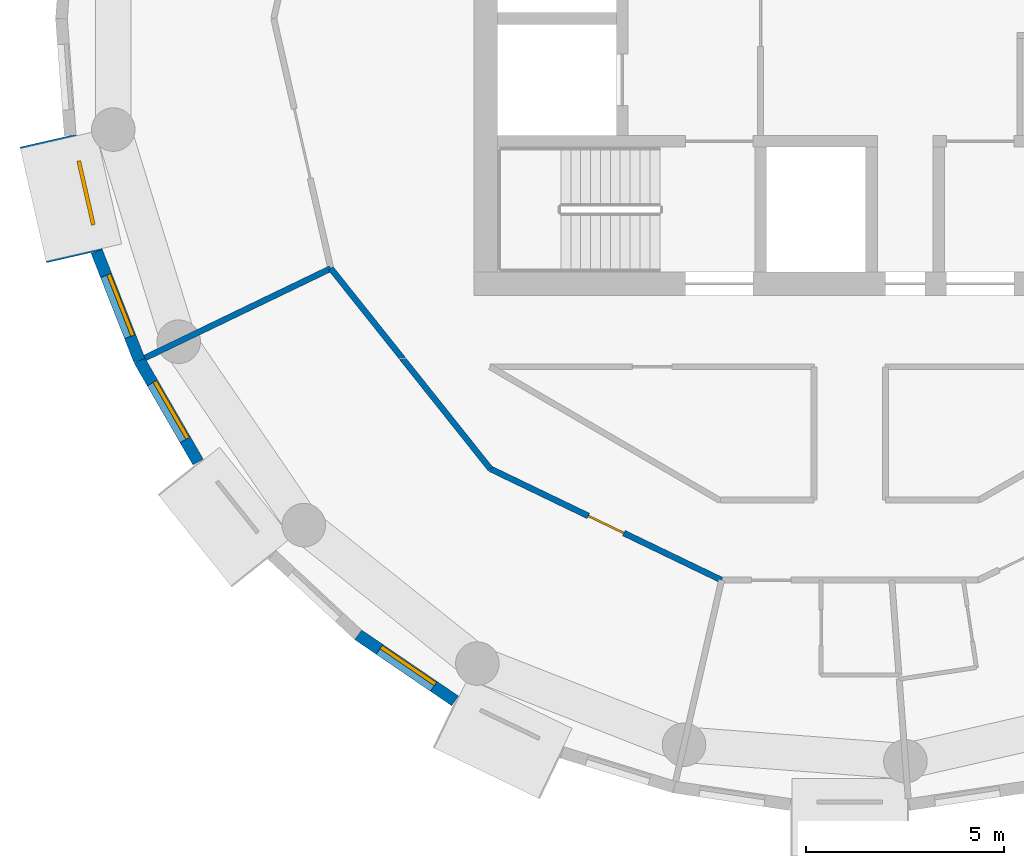
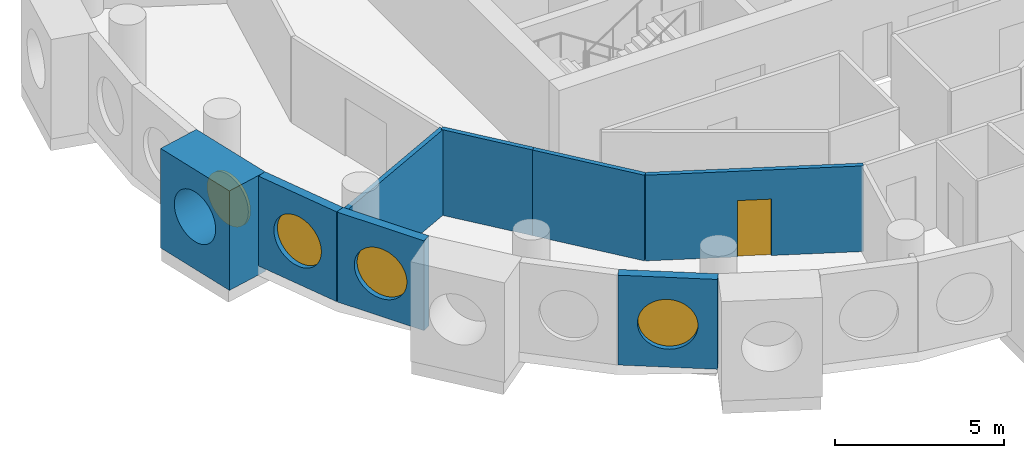
# One storey, part 2 of 13: 8 walls, 4 windows, 1 door, 5 openings.
"""IFC4 building model written with IfcOpenShell, lengths in metres."""

from ifc_helpers import new_model, si_unit, direction, frame, frame_2d, origin, origin_2d, place, context, subcontext, project, spatial, rectangle, circle, extrude, material, layer, layer_set, type_object, element, fill, save


model = new_model("IFC4")

# Units and contexts
model_context = context("Model", 3, precision=1e-05, world=origin(), true_north=direction((0.0, 1.0)))
body_context = subcontext(model_context, "Body", "Model", "MODEL_VIEW")
ifc_project = project(units=[si_unit("LENGTHUNIT", "METRE"), si_unit("AREAUNIT", "SQUARE_METRE"), si_unit("VOLUMEUNIT", "CUBIC_METRE"), si_unit("PLANEANGLEUNIT", "RADIAN"), si_unit("MASSUNIT", "GRAM", prefix="KILO")], contexts=[model_context])

# Site, building, storey
site_placement = place(None, origin())
site = spatial("IfcSite", under=ifc_project, at=site_placement, CompositionType="ELEMENT")
building_placement = place(site_placement, origin())
building = spatial("IfcBuilding", under=site, at=building_placement, Name="Tracery Tower", CompositionType="ELEMENT")
storey_placement = place(building_placement, frame((0.0, 0.0, 270.60009765625)))
storey = spatial("IfcBuildingStorey", under=building, at=storey_placement, Name="L70", CompositionType="ELEMENT", Elevation=270.60009765625)

# Wall, opening, window
ifc_material_1 = material(Name="Precast concrete C50/60", Category="concrete")
ifc_layer_1 = layer(ifc_material_1, 1.449951171875)
ifc_layer_set_1 = layer_set([ifc_layer_1], Name="Deep-set bay unit 3000 x 3600, slab edge 350")
wall_type_1 = type_object("IfcWallType", Name="Deep-set bay unit 3000 x 3600, slab edge 350", PredefinedType="ELEMENTEDWALL", material=ifc_layer_set_1)
wall_1_placement = place(storey_placement, frame((-20.262451171875, -3.086181640625, -0.35009765625), z_axis=(0.0, 0.0, 1.0), x_axis=(0.222570682856, -0.974916555985, 0.0)))
wall_1 = element("IfcWall", 1, at=wall_1_placement, inside=storey, type_object=wall_type_1, Name="Deep-set bay unit 23 at L70", PredefinedType="ELEMENTEDWALL", context=body_context, shape_type="SweptSolid", body=[
    extrude(rectangle(XDim=3.0, YDim=1.449951171875, at=frame_2d((1.5, 0.0))), origin(), (0.0, 0.0, 1.0), 3.60009765625),
])
opening_1_placement = place(wall_1_placement, frame((1.5, 0.0, 1.89990234375)))
opening_1 = element("IfcOpeningElement", 2, at=opening_1_placement, cuts=wall_1, Name="Opening WN1", PredefinedType="OPENING", context=body_context, shape_type="SweptSolid", body=[
    extrude(circle(Radius=0.9000244140625, at=origin_2d()), frame((0.0, 0.73486328125, 0.0), z_axis=(0.0, -1.0, 0.0), x_axis=(1.0, 0.0, 0.0)), (0.0, 0.0, 1.0), 1.469970703125),
])
ifc_material_2 = material(Name="Aluminium frame with tinted double glazing", Category="aluminium")
window_type = type_object("IfcWindowType", Name="Round window 1800", PartitioningType="SINGLE_PANEL", PredefinedType="WINDOW", material=ifc_material_2)
window_1_placement = place(opening_1_placement, origin())
window_1 = element("IfcWindow", 3, at=window_1_placement, inside=storey, type_object=window_type, Name="Round window 23 at L70", OverallHeight=1.800048828125, OverallWidth=1.800048828125, PartitioningType="SINGLE_PANEL", PredefinedType="WINDOW", context=body_context, shape_type="SweptSolid", body=[
    extrude(circle(Radius=0.9000244140625, at=origin_2d()), frame((0.0, 0.69482421875, 0.0), z_axis=(0.0, -1.0, 0.0), x_axis=(1.0, 0.0, 0.0)), (0.0, 0.0, 1.0), 0.10009765625),
])
fill(opening_1, window_1)

ifc_material_3 = material(Name="Precast concrete C50/60", Category="concrete")
ifc_layer_2 = layer(ifc_material_3, 0.300048828125)
ifc_layer_set_2 = layer_set([ifc_layer_2], Name="Facade panel 3000 x 3250")
wall_type_2 = type_object("IfcWallType", Name="Facade panel 3000 x 3250", PredefinedType="SOLIDWALL", material=ifc_layer_set_2)
wall_2_placement = place(storey_placement, frame((-19.03125, -5.88623046875, 0.0), z_axis=(0.0, 0.0, 1.0), x_axis=(0.365343821297, -0.930872650925, 0.0)))
wall_2 = element("IfcWall", 4, at=wall_2_placement, inside=storey, type_object=wall_type_2, Name="Facade panel 24 at L70", PredefinedType="SOLIDWALL", context=body_context, shape_type="SweptSolid", body=[
    extrude(rectangle(XDim=2.96240234375, YDim=0.300048828125, at=frame_2d((1.481201171875, 0.0))), origin(), (0.0, 0.0, 1.0), 3.25),
])
opening_2_placement = place(wall_2_placement, frame((1.48095703125, 0.0, 1.5498046875)))
opening_2 = element("IfcOpeningElement", 5, at=opening_2_placement, cuts=wall_2, Name="Opening WN1", PredefinedType="OPENING", context=body_context, shape_type="SweptSolid", body=[
    extrude(circle(Radius=0.9000244140625, at=origin_2d()), frame((0.0, 0.159912109375, 0.0), z_axis=(0.0, -1.0, 0.0), x_axis=(1.0, 0.0, 0.0)), (0.0, 0.0, 1.0), 0.320068359375),
])
window_2_placement = place(opening_2_placement, origin())
window_2 = element("IfcWindow", 6, at=window_2_placement, inside=storey, type_object=window_type, Name="Round window 24 at L70", OverallHeight=1.800048828125, OverallWidth=1.800048828125, PartitioningType="SINGLE_PANEL", PredefinedType="WINDOW", context=body_context, shape_type="SweptSolid", body=[
    extrude(circle(Radius=0.9000244140625, at=origin_2d()), frame((0.0, 0.1201171875, 0.0), z_axis=(0.0, -1.0, 0.0), x_axis=(1.0, 0.0, 0.0)), (0.0, 0.0, 1.0), 0.10009765625),
])
fill(opening_2, window_2)

wall_3_placement = place(storey_placement, frame((-17.948974609375, -8.643798828125, 0.0), z_axis=(0.0, 0.0, 1.0), x_axis=(0.500012570604, -0.866018146021, 0.0)))
wall_3 = element("IfcWall", 7, at=wall_3_placement, inside=storey, type_object=wall_type_2, Name="Facade panel 25 at L70", PredefinedType="SOLIDWALL", context=body_context, shape_type="SweptSolid", body=[
    extrude(rectangle(XDim=2.96240234375, YDim=0.300048828125, at=frame_2d((1.481201171875, 0.0))), origin(), (0.0, 0.0, 1.0), 3.25),
])
opening_3_placement = place(wall_3_placement, frame((1.48095703125, 0.0, 1.5498046875)))
opening_3 = element("IfcOpeningElement", 8, at=opening_3_placement, cuts=wall_3, Name="Opening WN1", PredefinedType="OPENING", context=body_context, shape_type="SweptSolid", body=[
    extrude(circle(Radius=0.9000244140625, at=origin_2d()), frame((0.0, 0.159912109375, 0.0), z_axis=(0.0, -1.0, 0.0), x_axis=(1.0, 0.0, 0.0)), (0.0, 0.0, 1.0), 0.320068359375),
])
window_3_placement = place(opening_3_placement, origin())
window_3 = element("IfcWindow", 9, at=window_3_placement, inside=storey, type_object=window_type, Name="Round window 25 at L70", OverallHeight=1.800048828125, OverallWidth=1.800048828125, PartitioningType="SINGLE_PANEL", PredefinedType="WINDOW", context=body_context, shape_type="SweptSolid", body=[
    extrude(circle(Radius=0.9000244140625, at=origin_2d()), frame((0.0, 0.1201171875, 0.0), z_axis=(0.0, -1.0, 0.0), x_axis=(1.0, 0.0, 0.0)), (0.0, 0.0, 1.0), 0.10009765625),
])
fill(opening_3, window_3)

wall_4_placement = place(storey_placement, frame((-12.421142578125, -15.575439453125, 0.0), z_axis=(0.0, 0.0, 1.0), x_axis=(0.826236061068, -0.563324037646, 0.0)))
wall_4 = element("IfcWall", 10, at=wall_4_placement, inside=storey, type_object=wall_type_2, Name="Facade panel 28 at L70", PredefinedType="SOLIDWALL", context=body_context, shape_type="SweptSolid", body=[
    extrude(rectangle(XDim=2.962158203125, YDim=0.300048828125, at=frame_2d((1.48095703125, 0.0))), origin(), (0.0, 0.0, 1.0), 3.25),
])
opening_4_placement = place(wall_4_placement, frame((1.48095703125, 0.0, 1.5498046875)))
opening_4 = element("IfcOpeningElement", 11, at=opening_4_placement, cuts=wall_4, Name="Opening WN1", PredefinedType="OPENING", context=body_context, shape_type="SweptSolid", body=[
    extrude(circle(Radius=0.9000244140625, at=origin_2d()), frame((0.0, 0.159912109375, 0.0), z_axis=(0.0, -1.0, 0.0), x_axis=(1.0, 0.0, 0.0)), (0.0, 0.0, 1.0), 0.320068359375),
])
window_4_placement = place(opening_4_placement, origin())
window_4 = element("IfcWindow", 12, at=window_4_placement, inside=storey, type_object=window_type, Name="Round window 28 at L70", OverallHeight=1.800048828125, OverallWidth=1.800048828125, PartitioningType="SINGLE_PANEL", PredefinedType="WINDOW", context=body_context, shape_type="SweptSolid", body=[
    extrude(circle(Radius=0.9000244140625, at=origin_2d()), frame((0.0, 0.1201171875, 0.0), z_axis=(0.0, -1.0, 0.0), x_axis=(1.0, 0.0, 0.0)), (0.0, 0.0, 1.0), 0.10009765625),
])
fill(opening_4, window_4)

# Walls
ifc_material_4 = material(Name="Plasterboard on steel studs", Category="steel")
ifc_layer_3 = layer(ifc_material_4, 0.14990234375)
ifc_layer_set_3 = layer_set([ifc_layer_3], Name="Partition 150 acoustic unit wall")
wall_type_3 = type_object("IfcWallType", Name="Partition 150 acoustic unit wall", PredefinedType="PARTITIONING", material=ifc_layer_set_3)
wall_5_placement = place(storey_placement, frame((-17.81298828125, -8.577880859375, 0.0), z_axis=(0.0, 0.0, 1.0), x_axis=(0.901004381064, 0.433809987557, 0.0)))
element("IfcWall", 13, at=wall_5_placement, inside=storey, type_object=wall_type_3, Name="Unit wall RC5-047", PredefinedType="PARTITIONING", context=body_context, shape_type="SweptSolid", body=[
    extrude(rectangle(XDim=5.214111328125, YDim=0.14990234375, at=frame_2d((2.60693359375, 0.0))), origin(), (0.0, 0.0, 1.0), 3.099853515625),
])
ifc_material_5 = material(Name="Plasterboard on steel studs", Category="steel")
ifc_layer_4 = layer(ifc_material_5, 0.14990234375)
ifc_layer_set_4 = layer_set([ifc_layer_4], Name="Partition 150 corridor wall")
wall_type_4 = type_object("IfcWallType", Name="Partition 150 corridor wall", PredefinedType="PARTITIONING", material=ifc_layer_set_4)
wall_6_placement = place(storey_placement, frame((-11.300048828125, -8.59619140625, 0.0), z_axis=(0.0, 0.0, 1.0), x_axis=(0.623165080354, -0.782090328944, 0.0)))
element("IfcWall", 14, at=wall_6_placement, inside=storey, type_object=wall_type_4, Name="Corridor wall RC5-014", PredefinedType="PARTITIONING", context=body_context, shape_type="SweptSolid", body=[
    extrude(rectangle(XDim=3.56396484375, YDim=0.14990234375, at=frame_2d((1.781982421875, 0.0))), origin(), (0.0, 0.0, 1.0), 3.099853515625),
])
wall_7_placement = place(storey_placement, frame((-13.114990234375, -6.31591796875, 0.0), z_axis=(0.0, 0.0, 1.0), x_axis=(0.623446514299, -0.781866001185, 0.0)))
element("IfcWall", 15, at=wall_7_placement, inside=storey, type_object=wall_type_4, Name="Corridor wall RC5-033", PredefinedType="PARTITIONING", context=body_context, shape_type="SweptSolid", body=[
    extrude(rectangle(XDim=2.9111328125, YDim=0.14990234375, at=frame_2d((1.45556640625, 0.0))), origin(), (0.0, 0.0, 1.0), 3.099853515625),
])

# Wall, opening, door
wall_8_placement = place(storey_placement, frame((-9.075927734375, -11.381103515625, 0.0), z_axis=(0.0, 0.0, 1.0), x_axis=(0.900976027191, -0.433868872388, 0.0)))
wall_8 = element("IfcWall", 16, at=wall_8_placement, inside=storey, type_object=wall_type_4, Name="Corridor wall RC5-039", PredefinedType="PARTITIONING", context=body_context, shape_type="SweptSolid", body=[
    extrude(rectangle(XDim=6.478515625, YDim=0.14990234375, at=frame_2d((3.2392578125, 0.0))), origin(), (0.0, 0.0, 1.0), 3.099853515625),
])
opening_5_placement = place(wall_8_placement, frame((2.739501953125, 0.0, 0.0)))
opening_5 = element("IfcOpeningElement", 17, at=opening_5_placement, cuts=wall_8, Name="Opening RC5-08", PredefinedType="OPENING", context=body_context, shape_type="SweptSolid", body=[
    extrude(rectangle(XDim=1.0, YDim=2.0400390625, at=frame_2d((0.5, 1.02001953125))), frame((0.0, 0.074951171875, 0.0), z_axis=(0.0, -1.0, 0.0), x_axis=(1.0, 0.0, 0.0)), (0.0, 0.0, 1.0), 0.14990234375),
])
ifc_material_6 = material(Name="Timber door leaf", Category="wood")
door_type = type_object("IfcDoorType", Name="Door communal room 1000", OperationType="NOTDEFINED", PredefinedType="DOOR", material=ifc_material_6)
door_placement = place(opening_5_placement, origin())
door = element("IfcDoor", 18, at=door_placement, inside=storey, type_object=door_type, Name="Communal room door RC5-08", OperationType="SINGLE_SWING_LEFT", OverallHeight=2.0400390625, OverallWidth=1.0, PredefinedType="DOOR", context=body_context, shape_type="SweptSolid", body=[
    extrude(rectangle(XDim=1.0, YDim=2.0400390625, at=frame_2d((0.5, 1.02001953125))), frame((0.0, 0.02490234375, 0.0), z_axis=(0.0, -1.0, 0.0), x_axis=(1.0, 0.0, 0.0)), (0.0, 0.0, 1.0), 0.050048828125),
])
fill(opening_5, door)

save(model, "model.ifc")
